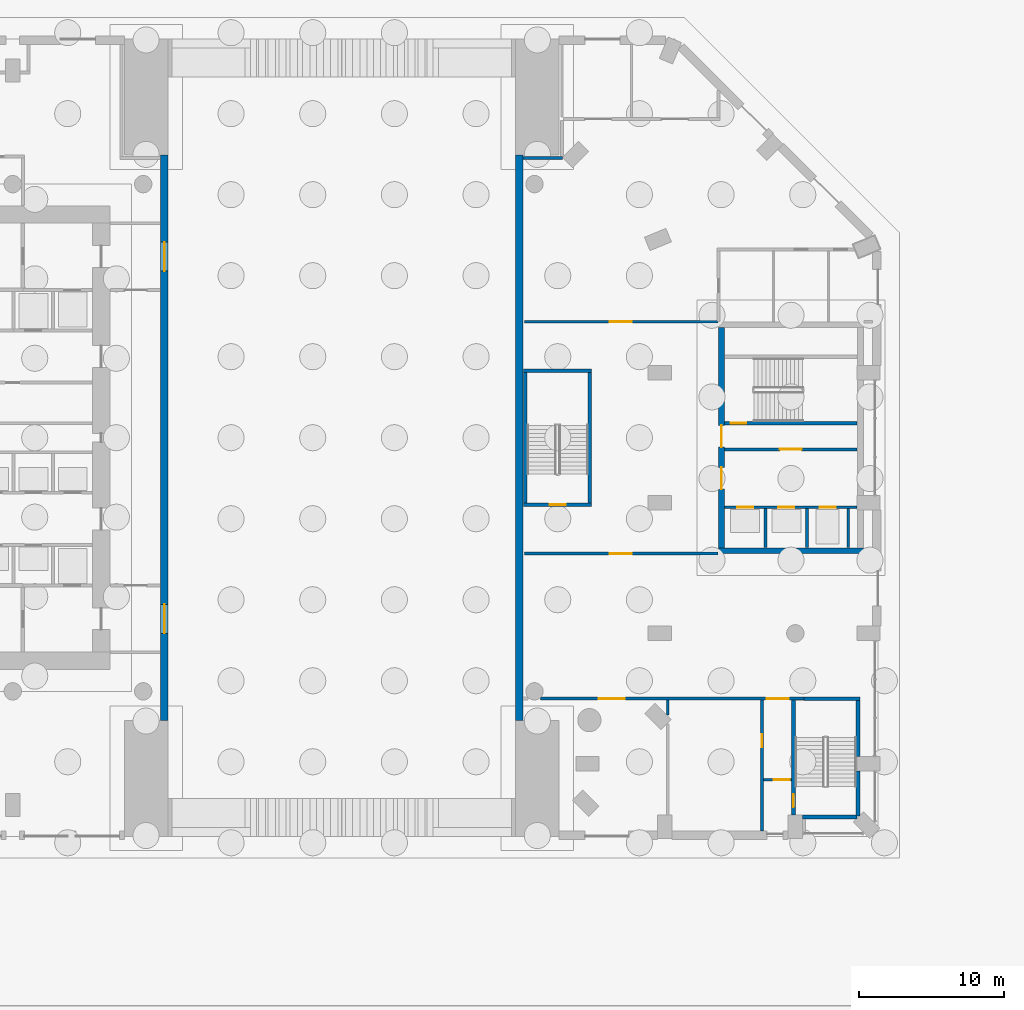
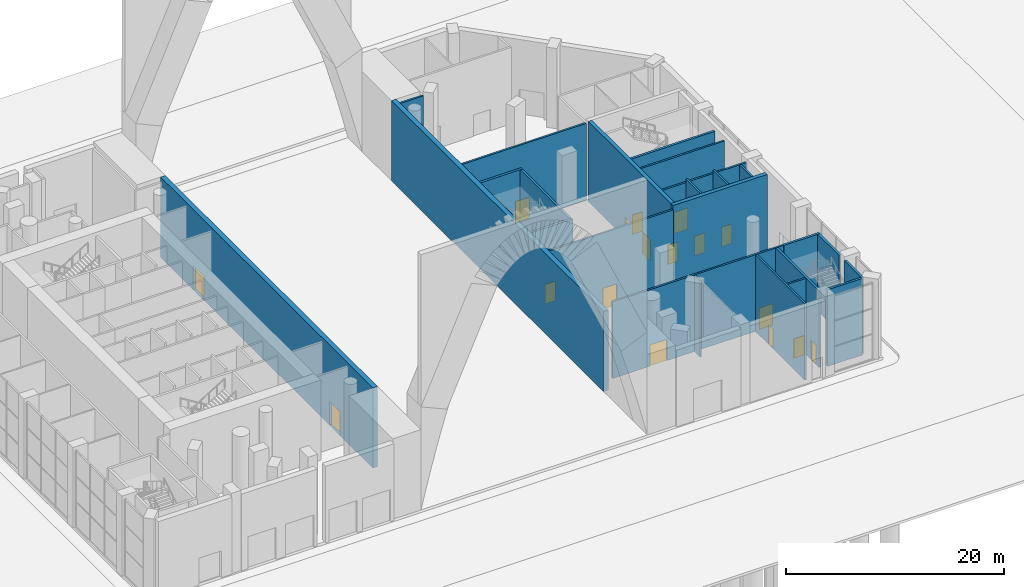
# One storey, part 12 of 25: 26 walls, 17 doors, 17 openings.
"""IFC4 building model written with IfcOpenShell, lengths in metres."""

from ifc_helpers import new_model, si_unit, direction, frame, frame_2d, origin, place, context, subcontext, project, spatial, rectangle, extrude, material, layer, layer_set, type_object, element, fill, save


model = new_model("IFC4")

# Units and contexts
model_context = context("Model", 3, precision=1e-05, world=origin(), true_north=direction((0.0, 1.0)))
body_context = subcontext(model_context, "Body", "Model", "MODEL_VIEW")
ifc_project = project(units=[si_unit("LENGTHUNIT", "METRE"), si_unit("AREAUNIT", "SQUARE_METRE"), si_unit("VOLUMEUNIT", "CUBIC_METRE"), si_unit("PLANEANGLEUNIT", "RADIAN"), si_unit("MASSUNIT", "GRAM", prefix="KILO")], contexts=[model_context])

# Site, building, storey
site_placement = place(None, origin())
site = spatial("IfcSite", under=ifc_project, at=site_placement, CompositionType="ELEMENT")
building_placement = place(site_placement, origin())
building = spatial("IfcBuilding", under=site, at=building_placement, Name="Cypress Arch Tower", CompositionType="ELEMENT")
storey_placement = place(building_placement, origin())
storey = spatial("IfcBuildingStorey", under=building, at=storey_placement, Name="L00", CompositionType="ELEMENT", Elevation=0.0)

# Wall, openings, doors
ifc_material_1 = material(Name="Concrete blockwork, plastered, rated", Category="masonry")
ifc_layer_1 = layer(ifc_material_1, 0.199951171875)
ifc_layer_set_1 = layer_set([ifc_layer_1], Name="Corridor wall FW200")
wall_type_1 = type_object("IfcWallType", Name="Corridor wall FW200", PredefinedType="PARTITIONING", material=ifc_layer_set_1)
wall_1_placement = place(storey_placement, frame((15.73193359375, -18.0048828125, 0.0), z_axis=(0.0, 0.0, 1.0), x_axis=(1.0, 0.0, 0.0)))
wall_1 = element("IfcWall", 1, at=wall_1_placement, inside=storey, type_object=wall_type_1, Name="Corridor wall", PredefinedType="PARTITIONING", context=body_context, shape_type="SweptSolid", body=[
    extrude(rectangle(XDim=18.1669921875, YDim=0.199951171875, at=frame_2d((9.08349609375, 0.0))), origin(), (0.0, 0.0, 1.0), 8.597900390625),
])
opening_1_placement = place(wall_1_placement, frame((15.60009765625, 0.0, 0.0)))
opening_1 = element("IfcOpeningElement", 2, at=opening_1_placement, cuts=wall_1, Name="Opening D07", PredefinedType="OPENING", context=body_context, shape_type="SweptSolid", body=[
    extrude(rectangle(XDim=1.5, YDim=2.39990234375, at=frame_2d((0.75, 1.199951171875))), frame((0.0, 0.10986328125, 0.0), z_axis=(0.0, -1.0, 0.0), x_axis=(1.0, 0.0, 0.0)), (0.0, 0.0, 1.0), 0.219970703125),
])
opening_2_placement = place(wall_1_placement, frame((4.0, 0.0, 0.0)))
opening_2 = element("IfcOpeningElement", 3, at=opening_2_placement, cuts=wall_1, Name="Opening D09", PredefinedType="OPENING", context=body_context, shape_type="SweptSolid", body=[
    extrude(rectangle(XDim=1.800048828125, YDim=2.39990234375, at=frame_2d((0.89990234375, 1.199951171875))), frame((0.0, 0.10986328125, 0.0), z_axis=(0.0, -1.0, 0.0), x_axis=(1.0, 0.0, 0.0)), (0.0, 0.0, 1.0), 0.219970703125),
])
ifc_material_2 = material(Name="Steel framed glazed door, fire resisting", Category="steel")
door_type_1 = type_object("IfcDoorType", Name="Lobby door D07 1500x2400", OperationType="DOUBLE_DOOR_SINGLE_SWING", PredefinedType="DOOR", material=ifc_material_2)
door_1_placement = place(opening_1_placement, origin())
door_1 = element("IfcDoor", 4, at=door_1_placement, inside=storey, type_object=door_type_1, Name="Lobby door", OperationType="DOUBLE_DOOR_SINGLE_SWING", OverallHeight=2.39990234375, OverallWidth=1.5, PredefinedType="DOOR", context=body_context, shape_type="SweptSolid", body=[
    extrude(rectangle(XDim=1.5, YDim=2.39990234375, at=frame_2d((0.75, 1.199951171875))), frame((0.0, 0.02490234375, 0.0), z_axis=(0.0, -1.0, 0.0), x_axis=(1.0, 0.0, 0.0)), (0.0, 0.0, 1.0), 0.050048828125),
])
fill(opening_1, door_1)
ifc_material_3 = material(Name="Steel door, fire resisting", Category="steel")
door_type_2 = type_object("IfcDoorType", Name="Plant room door D09 1800x2400", OperationType="DOUBLE_DOOR_SINGLE_SWING", PredefinedType="DOOR", material=ifc_material_3)
door_2_placement = place(opening_2_placement, origin())
door_2 = element("IfcDoor", 5, at=door_2_placement, inside=storey, type_object=door_type_2, Name="Plant room door", OperationType="DOUBLE_DOOR_SINGLE_SWING", OverallHeight=2.39990234375, OverallWidth=1.800048828125, PredefinedType="DOOR", context=body_context, shape_type="SweptSolid", body=[
    extrude(rectangle(XDim=1.800048828125, YDim=2.39990234375, at=frame_2d((0.89990234375, 1.199951171875))), frame((0.0, 0.02490234375, 0.0), z_axis=(0.0, -1.0, 0.0), x_axis=(1.0, 0.0, 0.0)), (0.0, 0.0, 1.0), 0.050048828125),
])
fill(opening_2, door_2)

# Wall, opening, door
wall_2_placement = place(storey_placement, frame((14.60009765625, -8.0, 0.0), z_axis=(0.0, 0.0, 1.0), x_axis=(1.0, 0.0, 0.0)))
wall_2 = element("IfcWall", 6, at=wall_2_placement, inside=storey, type_object=wall_type_1, Name="Corridor wall", PredefinedType="PARTITIONING", context=body_context, shape_type="SweptSolid", body=[
    extrude(rectangle(XDim=13.369873046875, YDim=0.199951171875, at=frame_2d((6.68505859375, 0.0))), origin(), (0.0, 0.0, 1.0), 8.597900390625),
])
opening_3_placement = place(wall_2_placement, frame((5.89990234375, 0.0, 0.0)))
opening_3 = element("IfcOpeningElement", 7, at=opening_3_placement, cuts=wall_2, Name="Opening D07", PredefinedType="OPENING", context=body_context, shape_type="SweptSolid", body=[
    extrude(rectangle(XDim=1.5, YDim=2.39990234375, at=frame_2d((0.75, 1.199951171875))), frame((0.0, 0.10986328125, 0.0), z_axis=(0.0, -1.0, 0.0), x_axis=(1.0, 0.0, 0.0)), (0.0, 0.0, 1.0), 0.219970703125),
])
door_3_placement = place(opening_3_placement, origin())
door_3 = element("IfcDoor", 8, at=door_3_placement, inside=storey, type_object=door_type_1, Name="Lobby door", OperationType="DOUBLE_DOOR_SINGLE_SWING", OverallHeight=2.39990234375, OverallWidth=1.5, PredefinedType="DOOR", context=body_context, shape_type="SweptSolid", body=[
    extrude(rectangle(XDim=1.5, YDim=2.39990234375, at=frame_2d((0.75, 1.199951171875))), frame((0.0, 0.02490234375, 0.0), z_axis=(0.0, -1.0, 0.0), x_axis=(1.0, 0.0, 0.0)), (0.0, 0.0, 1.0), 0.050048828125),
])
fill(opening_3, door_3)

wall_3_placement = place(storey_placement, frame((14.60009765625, 8.0, 0.0), z_axis=(0.0, 0.0, 1.0), x_axis=(1.0, 0.0, 0.0)))
wall_3 = element("IfcWall", 9, at=wall_3_placement, inside=storey, type_object=wall_type_1, Name="Corridor wall", PredefinedType="PARTITIONING", context=body_context, shape_type="SweptSolid", body=[
    extrude(rectangle(XDim=13.369873046875, YDim=0.199951171875, at=frame_2d((6.68505859375, 0.0))), origin(), (0.0, 0.0, 1.0), 8.597900390625),
])
opening_4_placement = place(wall_3_placement, frame((5.89990234375, 0.0, 0.0)))
opening_4 = element("IfcOpeningElement", 10, at=opening_4_placement, cuts=wall_3, Name="Opening D07", PredefinedType="OPENING", context=body_context, shape_type="SweptSolid", body=[
    extrude(rectangle(XDim=1.5, YDim=2.39990234375, at=frame_2d((0.75, 1.199951171875))), frame((0.0, 0.10986328125, 0.0), z_axis=(0.0, -1.0, 0.0), x_axis=(1.0, 0.0, 0.0)), (0.0, 0.0, 1.0), 0.219970703125),
])
door_4_placement = place(opening_4_placement, origin())
door_4 = element("IfcDoor", 11, at=door_4_placement, inside=storey, type_object=door_type_1, Name="Lobby door", OperationType="DOUBLE_DOOR_SINGLE_SWING", OverallHeight=2.39990234375, OverallWidth=1.5, PredefinedType="DOOR", context=body_context, shape_type="SweptSolid", body=[
    extrude(rectangle(XDim=1.5, YDim=2.39990234375, at=frame_2d((0.75, 1.199951171875))), frame((0.0, 0.02490234375, 0.0), z_axis=(0.0, -1.0, 0.0), x_axis=(1.0, 0.0, 0.0)), (0.0, 0.0, 1.0), 0.050048828125),
])
fill(opening_4, door_4)

# Wall
wall_4_placement = place(storey_placement, frame((14.5, 19.300048828125, 0.0), z_axis=(0.0, 0.0, 1.0), x_axis=(1.0, 0.0, 0.0)))
element("IfcWall", 12, at=wall_4_placement, inside=storey, type_object=wall_type_1, Name="Corridor wall", PredefinedType="PARTITIONING", context=body_context, shape_type="SweptSolid", body=[
    extrude(rectangle(XDim=2.7294921875, YDim=0.199951171875, at=frame_2d((1.36474609375, 0.0))), origin(), (0.0, 0.0, 1.0), 8.597900390625),
])

# Wall, opening, door
wall_5_placement = place(storey_placement, frame((28.429931640625, -0.800048828125, 0.0), z_axis=(0.0, 0.0, 1.0), x_axis=(1.0, 0.0, 0.0)))
wall_5 = element("IfcWall", 13, at=wall_5_placement, inside=storey, type_object=wall_type_1, Name="Corridor wall", PredefinedType="PARTITIONING", context=body_context, shape_type="SweptSolid", body=[
    extrude(rectangle(XDim=9.14013671875, YDim=0.199951171875, at=frame_2d((4.570068359375, 0.0))), origin(), (0.0, 0.0, 1.0), 8.597900390625),
])
opening_5_placement = place(wall_5_placement, frame((3.800048828125, 0.0, 0.0)))
opening_5 = element("IfcOpeningElement", 14, at=opening_5_placement, cuts=wall_5, Name="Opening D07", PredefinedType="OPENING", context=body_context, shape_type="SweptSolid", body=[
    extrude(rectangle(XDim=1.5, YDim=2.39990234375, at=frame_2d((0.75, 1.199951171875))), frame((0.0, 0.10986328125, 0.0), z_axis=(0.0, -1.0, 0.0), x_axis=(1.0, 0.0, 0.0)), (0.0, 0.0, 1.0), 0.219970703125),
])
door_5_placement = place(opening_5_placement, origin())
door_5 = element("IfcDoor", 15, at=door_5_placement, inside=storey, type_object=door_type_1, Name="Lobby door", OperationType="DOUBLE_DOOR_SINGLE_SWING", OverallHeight=2.39990234375, OverallWidth=1.5, PredefinedType="DOOR", context=body_context, shape_type="SweptSolid", body=[
    extrude(rectangle(XDim=1.5, YDim=2.39990234375, at=frame_2d((0.75, 1.199951171875))), frame((0.0, 0.02490234375, 0.0), z_axis=(0.0, -1.0, 0.0), x_axis=(1.0, 0.0, 0.0)), (0.0, 0.0, 1.0), 0.050048828125),
])
fill(opening_5, door_5)

wall_6_placement = place(storey_placement, frame((31.0, -27.125, 0.0), z_axis=(0.0, 0.0, 1.0), x_axis=(0.0, 1.0, 0.0)))
wall_6 = element("IfcWall", 16, at=wall_6_placement, inside=storey, type_object=wall_type_1, Name="Corridor wall", PredefinedType="PARTITIONING", context=body_context, shape_type="SweptSolid", body=[
    extrude(rectangle(XDim=9.02490234375, YDim=0.199951171875, at=frame_2d((4.512451171875, 0.0))), origin(), (0.0, 0.0, 1.0), 8.597900390625),
])
opening_6_placement = place(wall_6_placement, frame((5.75, 0.0, 0.0)))
opening_6 = element("IfcOpeningElement", 17, at=opening_6_placement, cuts=wall_6, Name="Opening D05", PredefinedType="OPENING", context=body_context, shape_type="SweptSolid", body=[
    extrude(rectangle(XDim=0.89990234375, YDim=2.199951171875, at=frame_2d((0.449951171875, 1.10009765625))), frame((0.0, 0.10986328125, 0.0), z_axis=(0.0, -1.0, 0.0), x_axis=(1.0, 0.0, 0.0)), (0.0, 0.0, 1.0), 0.219970703125),
])
ifc_material_4 = material(Name="Timber flush door", Category="wood")
door_type_3 = type_object("IfcDoorType", Name="Service door D05 900x2200", OperationType="SINGLE_SWING_LEFT", PredefinedType="DOOR", material=ifc_material_4)
door_6_placement = place(opening_6_placement, origin())
door_6 = element("IfcDoor", 18, at=door_6_placement, inside=storey, type_object=door_type_3, Name="Service door", OperationType="SINGLE_SWING_RIGHT", OverallHeight=2.199951171875, OverallWidth=0.89990234375, PredefinedType="DOOR", context=body_context, shape_type="SweptSolid", body=[
    extrude(rectangle(XDim=0.89990234375, YDim=2.199951171875, at=frame_2d((0.449951171875, 1.10009765625))), frame((0.0, 0.02490234375, 0.0), z_axis=(0.0, -1.0, 0.0), x_axis=(1.0, 0.0, 0.0)), (0.0, 0.0, 1.0), 0.050048828125),
])
fill(opening_6, door_6)

wall_7_placement = place(storey_placement, frame((31.10009765625, -23.60009765625, 0.0), z_axis=(0.0, 0.0, 1.0), x_axis=(1.0, 0.0, 0.0)))
wall_7 = element("IfcWall", 19, at=wall_7_placement, inside=storey, type_object=wall_type_1, Name="Corridor wall", PredefinedType="PARTITIONING", context=body_context, shape_type="SweptSolid", body=[
    extrude(rectangle(XDim=1.949951171875, YDim=0.199951171875, at=frame_2d((0.97509765625, 0.0))), origin(), (0.0, 0.0, 1.0), 8.597900390625),
])
opening_7_placement = place(wall_7_placement, frame((0.699951171875, 0.0, 0.0)))
opening_7 = element("IfcOpeningElement", 20, at=opening_7_placement, cuts=wall_7, Name="Opening D06", PredefinedType="OPENING", context=body_context, shape_type="SweptSolid", body=[
    extrude(rectangle(XDim=1.10009765625, YDim=2.199951171875, at=frame_2d((0.550048828125, 1.10009765625))), frame((0.0, 0.10986328125, 0.0), z_axis=(0.0, -1.0, 0.0), x_axis=(1.0, 0.0, 0.0)), (0.0, 0.0, 1.0), 0.219970703125),
])
ifc_material_5 = material(Name="Steel door, fire resisting, panic bar", Category="steel")
door_type_4 = type_object("IfcDoorType", Name="Stair door D06 1100x2200", OperationType="SINGLE_SWING_LEFT", PredefinedType="DOOR", material=ifc_material_5)
door_7_placement = place(opening_7_placement, origin())
door_7 = element("IfcDoor", 21, at=door_7_placement, inside=storey, type_object=door_type_4, Name="Stair door", OperationType="SINGLE_SWING_RIGHT", OverallHeight=2.199951171875, OverallWidth=1.10009765625, PredefinedType="DOOR", context=body_context, shape_type="SweptSolid", body=[
    extrude(rectangle(XDim=1.10009765625, YDim=2.199951171875, at=frame_2d((0.550048828125, 1.10009765625))), frame((0.0, 0.02490234375, 0.0), z_axis=(0.0, -1.0, 0.0), x_axis=(1.0, 0.0, 0.0)), (0.0, 0.0, 1.0), 0.050048828125),
])
fill(opening_7, door_7)

# Wall
ifc_material_6 = material(Name="Concrete C60/75", Category="concrete")
ifc_layer_2 = layer(ifc_material_6, 0.39990234375)
ifc_layer_set_2 = layer_set([ifc_layer_2], Name="East core wall CW400 C60/75")
wall_type_2 = type_object("IfcWallType", Name="East core wall CW400 C60/75", PredefinedType="SHEAR", material=ifc_layer_set_2)
wall_8_placement = place(storey_placement, frame((28.0, -7.800048828125, 0.0), z_axis=(0.0, 0.0, 1.0), x_axis=(1.0, 0.0, 0.0)))
element("IfcWall", 22, at=wall_8_placement, inside=storey, type_object=wall_type_2, Name="East core wall", PredefinedType="SHEAR", context=body_context, shape_type="SweptSolid", body=[
    extrude(rectangle(XDim=10.0, YDim=0.39990234375, at=frame_2d((5.0, 0.0))), origin(), (0.0, 0.0, 1.0), 9.0),
])

# Wall, openings, doors
wall_9_placement = place(storey_placement, frame((28.199951171875, -7.60009765625, 0.0), z_axis=(0.0, 0.0, 1.0), x_axis=(0.0, 1.0, 0.0)))
wall_9 = element("IfcWall", 23, at=wall_9_placement, inside=storey, type_object=wall_type_2, Name="East core wall", PredefinedType="SHEAR", context=body_context, shape_type="SweptSolid", body=[
    extrude(rectangle(XDim=15.2001953125, YDim=0.39990234375, at=frame_2d((7.60009765625, 0.0))), origin(), (0.0, 0.0, 1.0), 9.0),
])
opening_8_placement = place(wall_9_placement, frame((4.050048828125, 0.0, 0.0)))
opening_8 = element("IfcOpeningElement", 24, at=opening_8_placement, cuts=wall_9, Name="Opening D07", PredefinedType="OPENING", context=body_context, shape_type="SweptSolid", body=[
    extrude(rectangle(XDim=1.5, YDim=2.39990234375, at=frame_2d((0.75, 1.199951171875))), frame((0.0, 0.2099609375, 0.0), z_axis=(0.0, -1.0, 0.0), x_axis=(1.0, 0.0, 0.0)), (0.0, 0.0, 1.0), 0.419921875),
])
opening_9_placement = place(wall_9_placement, frame((6.949951171875, 0.0, 0.0)))
opening_9 = element("IfcOpeningElement", 25, at=opening_9_placement, cuts=wall_9, Name="Opening D07", PredefinedType="OPENING", context=body_context, shape_type="SweptSolid", body=[
    extrude(rectangle(XDim=1.5, YDim=2.39990234375, at=frame_2d((0.75, 1.199951171875))), frame((0.0, 0.2099609375, 0.0), z_axis=(0.0, -1.0, 0.0), x_axis=(1.0, 0.0, 0.0)), (0.0, 0.0, 1.0), 0.419921875),
])
door_8_placement = place(opening_8_placement, origin())
door_8 = element("IfcDoor", 26, at=door_8_placement, inside=storey, type_object=door_type_1, Name="Lobby door", OperationType="DOUBLE_DOOR_SINGLE_SWING", OverallHeight=2.39990234375, OverallWidth=1.5, PredefinedType="DOOR", context=body_context, shape_type="SweptSolid", body=[
    extrude(rectangle(XDim=1.5, YDim=2.39990234375, at=frame_2d((0.75, 1.199951171875))), frame((0.0, 0.02490234375, 0.0), z_axis=(0.0, -1.0, 0.0), x_axis=(1.0, 0.0, 0.0)), (0.0, 0.0, 1.0), 0.050048828125),
])
fill(opening_8, door_8)
door_9_placement = place(opening_9_placement, origin())
door_9 = element("IfcDoor", 27, at=door_9_placement, inside=storey, type_object=door_type_1, Name="Lobby door", OperationType="DOUBLE_DOOR_SINGLE_SWING", OverallHeight=2.39990234375, OverallWidth=1.5, PredefinedType="DOOR", context=body_context, shape_type="SweptSolid", body=[
    extrude(rectangle(XDim=1.5, YDim=2.39990234375, at=frame_2d((0.75, 1.199951171875))), frame((0.0, 0.02490234375, 0.0), z_axis=(0.0, -1.0, 0.0), x_axis=(1.0, 0.0, 0.0)), (0.0, 0.0, 1.0), 0.050048828125),
])
fill(opening_9, door_9)

# Wall
ifc_material_7 = material(Name="Blockwork, plastered both sides", Category="masonry")
ifc_layer_3 = layer(ifc_material_7, 0.14990234375)
ifc_layer_set_3 = layer_set([ifc_layer_3], Name="Partition PW150")
wall_type_3 = type_object("IfcWallType", Name="Partition PW150", PredefinedType="PARTITIONING", material=ifc_layer_set_3)
wall_10_placement = place(storey_placement, frame((24.5, -19.1328125, 0.0), z_axis=(0.0, 0.0, 1.0), x_axis=(0.0, 1.0, 0.0)))
element("IfcWall", 28, at=wall_10_placement, inside=storey, type_object=wall_type_3, Name="Partition", PredefinedType="PARTITIONING", context=body_context, shape_type="SweptSolid", body=[
    extrude(rectangle(XDim=1.03271484375, YDim=0.14990234375, at=frame_2d((0.516357421875, 0.0))), origin(), (0.0, 0.0, 1.0), 8.597900390625),
])

# Wall, openings, doors
ifc_material_8 = material(Name="Concrete C60/75", Category="concrete")
ifc_layer_4 = layer(ifc_material_8, 0.5)
ifc_layer_set_4 = layer_set([ifc_layer_4], Name="Passage wall 500 Concrete C60/75")
wall_type_4 = type_object("IfcWallType", Name="Passage wall 500 Concrete C60/75", PredefinedType="SOLIDWALL", material=ifc_layer_set_4)
wall_11_placement = place(storey_placement, frame((-10.25, -19.5, 0.0), z_axis=(0.0, 0.0, 1.0), x_axis=(0.0, 1.0, 0.0)))
wall_11 = element("IfcWall", 29, at=wall_11_placement, inside=storey, type_object=wall_type_4, Name="Gate passage wall W L00", PredefinedType="SOLIDWALL", context=body_context, shape_type="SweptSolid", body=[
    extrude(rectangle(XDim=39.0, YDim=0.5, at=frame_2d((19.5, 0.0))), origin(), (0.0, 0.0, 1.0), 9.0),
])
opening_10_placement = place(wall_11_placement, frame((6.0, 0.0, 0.0)))
opening_10 = element("IfcOpeningElement", 30, at=opening_10_placement, cuts=wall_11, Name="Opening DE2000", PredefinedType="OPENING", context=body_context, shape_type="SweptSolid", body=[
    extrude(rectangle(XDim=2.0, YDim=2.699951171875, at=frame_2d((1.0, 1.35009765625))), frame((0.0, 0.260009765625, 0.0), z_axis=(0.0, -1.0, 0.0), x_axis=(1.0, 0.0, 0.0)), (0.0, 0.0, 1.0), 0.52001953125),
])
opening_11_placement = place(wall_11_placement, frame((31.0, 0.0, 0.0)))
opening_11 = element("IfcOpeningElement", 31, at=opening_11_placement, cuts=wall_11, Name="Opening DE2000", PredefinedType="OPENING", context=body_context, shape_type="SweptSolid", body=[
    extrude(rectangle(XDim=2.0, YDim=2.699951171875, at=frame_2d((1.0, 1.35009765625))), frame((0.0, 0.260009765625, 0.0), z_axis=(0.0, -1.0, 0.0), x_axis=(1.0, 0.0, 0.0)), (0.0, 0.0, 1.0), 0.52001953125),
])
ifc_material_9 = material(Name="Anodised aluminium, bronze finish, clear low-emissivity double glazing", Category="aluminium")
door_type_5 = type_object("IfcDoorType", Name="Entrance door double 2000x2700", OperationType="DOUBLE_DOOR_SINGLE_SWING", PredefinedType="DOOR", material=ifc_material_9)
door_10_placement = place(opening_10_placement, origin())
door_10 = element("IfcDoor", 32, at=door_10_placement, inside=storey, type_object=door_type_5, Name="Exterior door L00 W-L1", OperationType="DOUBLE_DOOR_SINGLE_SWING", OverallHeight=2.699951171875, OverallWidth=2.0, PredefinedType="DOOR", context=body_context, shape_type="SweptSolid", body=[
    extrude(rectangle(XDim=2.0, YDim=2.699951171875, at=frame_2d((1.0, 1.35009765625))), frame((0.0, 0.0, 0.0), z_axis=(0.0, -1.0, 0.0), x_axis=(1.0, 0.0, 0.0)), (0.0, 0.0, 1.0), 0.050048828125),
])
fill(opening_10, door_10)
door_11_placement = place(opening_11_placement, origin())
door_11 = element("IfcDoor", 33, at=door_11_placement, inside=storey, type_object=door_type_5, Name="Exterior door L00 W-L2", OperationType="DOUBLE_DOOR_SINGLE_SWING", OverallHeight=2.699951171875, OverallWidth=2.0, PredefinedType="DOOR", context=body_context, shape_type="SweptSolid", body=[
    extrude(rectangle(XDim=2.0, YDim=2.699951171875, at=frame_2d((1.0, 1.35009765625))), frame((0.0, 0.0, 0.0), z_axis=(0.0, -1.0, 0.0), x_axis=(1.0, 0.0, 0.0)), (0.0, 0.0, 1.0), 0.050048828125),
])
fill(opening_11, door_11)

# Wall
wall_12_placement = place(storey_placement, frame((14.25, -19.5, 0.0), z_axis=(0.0, 0.0, 1.0), x_axis=(0.0, 1.0, 0.0)))
element("IfcWall", 34, at=wall_12_placement, inside=storey, type_object=wall_type_4, Name="Gate passage wall E L00", PredefinedType="SOLIDWALL", context=body_context, shape_type="SweptSolid", body=[
    extrude(rectangle(XDim=39.0, YDim=0.5, at=frame_2d((19.5, 0.0))), origin(), (0.0, 0.0, 1.0), 9.0),
])

# Wall, openings, doors
ifc_material_10 = material(Name="Concrete C50/60", Category="concrete")
ifc_layer_5 = layer(ifc_material_10, 0.199951171875)
ifc_layer_set_5 = layer_set([ifc_layer_5], Name="Shaft wall SH200")
wall_type_5 = type_object("IfcWallType", Name="Shaft wall SH200", PredefinedType="SHEAR", material=ifc_layer_set_5)
wall_13_placement = place(storey_placement, frame((28.429931640625, -4.800048828125, 0.0), z_axis=(0.0, 0.0, 1.0), x_axis=(1.0, 0.0, 0.0)))
wall_13 = element("IfcWall", 35, at=wall_13_placement, inside=storey, type_object=wall_type_5, Name="Shaft wall", PredefinedType="SHEAR", context=body_context, shape_type="SweptSolid", body=[
    extrude(rectangle(XDim=9.130126953125, YDim=0.199951171875, at=frame_2d((4.56494140625, 0.0))), origin(), (0.0, 0.0, 1.0), 8.597900390625),
])
opening_12_placement = place(wall_13_placement, frame((0.85009765625, 0.0, 0.0)))
opening_12 = element("IfcOpeningElement", 36, at=opening_12_placement, cuts=wall_13, Name="Opening LD-EW1", PredefinedType="OPENING", context=body_context, shape_type="SweptSolid", body=[
    extrude(rectangle(XDim=1.10009765625, YDim=2.199951171875, at=frame_2d((0.550048828125, 1.10009765625))), frame((0.0, 0.10986328125, 0.0), z_axis=(0.0, -1.0, 0.0), x_axis=(1.0, 0.0, 0.0)), (0.0, 0.0, 1.0), 0.219970703125),
])
opening_13_placement = place(wall_13_placement, frame((3.699951171875, 0.0, 0.0)))
opening_13 = element("IfcOpeningElement", 37, at=opening_13_placement, cuts=wall_13, Name="Opening LD-EW2", PredefinedType="OPENING", context=body_context, shape_type="SweptSolid", body=[
    extrude(rectangle(XDim=1.10009765625, YDim=2.199951171875, at=frame_2d((0.550048828125, 1.10009765625))), frame((0.0, 0.10986328125, 0.0), z_axis=(0.0, -1.0, 0.0), x_axis=(1.0, 0.0, 0.0)), (0.0, 0.0, 1.0), 0.219970703125),
])
opening_14_placement = place(wall_13_placement, frame((6.550048828125, 0.0, 0.0)))
opening_14 = element("IfcOpeningElement", 38, at=opening_14_placement, cuts=wall_13, Name="Opening LD-EWS", PredefinedType="OPENING", context=body_context, shape_type="SweptSolid", body=[
    extrude(rectangle(XDim=1.10009765625, YDim=2.199951171875, at=frame_2d((0.550048828125, 1.10009765625))), frame((0.0, 0.10986328125, 0.0), z_axis=(0.0, -1.0, 0.0), x_axis=(1.0, 0.0, 0.0)), (0.0, 0.0, 1.0), 0.219970703125),
])
ifc_material_11 = material(Name="Stainless steel centre-opening landing door, rated", Category="steel")
door_type_6 = type_object("IfcDoorType", Name="Lift landing door LD 1100x2200", OperationType="DOUBLE_DOOR_SLIDING", PredefinedType="DOOR", material=ifc_material_11)
door_12_placement = place(opening_12_placement, origin())
door_12 = element("IfcDoor", 39, at=door_12_placement, inside=storey, type_object=door_type_6, Name="Lift landing doors EW1", OperationType="DOUBLE_DOOR_SLIDING", OverallHeight=2.199951171875, OverallWidth=1.10009765625, PredefinedType="DOOR", context=body_context, shape_type="SweptSolid", body=[
    extrude(rectangle(XDim=1.10009765625, YDim=2.199951171875, at=frame_2d((0.550048828125, 1.10009765625))), frame((0.0, 0.02490234375, 0.0), z_axis=(0.0, -1.0, 0.0), x_axis=(1.0, 0.0, 0.0)), (0.0, 0.0, 1.0), 0.050048828125),
])
fill(opening_12, door_12)
door_13_placement = place(opening_13_placement, origin())
door_13 = element("IfcDoor", 40, at=door_13_placement, inside=storey, type_object=door_type_6, Name="Lift landing doors EW2", OperationType="DOUBLE_DOOR_SLIDING", OverallHeight=2.199951171875, OverallWidth=1.10009765625, PredefinedType="DOOR", context=body_context, shape_type="SweptSolid", body=[
    extrude(rectangle(XDim=1.10009765625, YDim=2.199951171875, at=frame_2d((0.550048828125, 1.10009765625))), frame((0.0, 0.02490234375, 0.0), z_axis=(0.0, -1.0, 0.0), x_axis=(1.0, 0.0, 0.0)), (0.0, 0.0, 1.0), 0.050048828125),
])
fill(opening_13, door_13)
door_14_placement = place(opening_14_placement, origin())
door_14 = element("IfcDoor", 41, at=door_14_placement, inside=storey, type_object=door_type_6, Name="Lift landing doors EWS", OperationType="DOUBLE_DOOR_SLIDING", OverallHeight=2.199951171875, OverallWidth=1.10009765625, PredefinedType="DOOR", context=body_context, shape_type="SweptSolid", body=[
    extrude(rectangle(XDim=1.10009765625, YDim=2.199951171875, at=frame_2d((0.550048828125, 1.10009765625))), frame((0.0, 0.02490234375, 0.0), z_axis=(0.0, -1.0, 0.0), x_axis=(1.0, 0.0, 0.0)), (0.0, 0.0, 1.0), 0.050048828125),
])
fill(opening_14, door_14)

# Walls
for number, where, z_axis, x_axis, name in (
    (42, (31.25, -7.570068359375, 0.0), (0.0, 0.0, 1.0), (0.0, 1.0, 0.0), "Shaft wall"),
    (43, (34.10009765625, -7.570068359375, 0.0), (0.0, 0.0, 1.0), (0.0, 1.0, 0.0), "Shaft wall"),
):
    element("IfcWall", number, at=place(storey_placement, frame(where, z_axis=z_axis, x_axis=x_axis)), inside=storey, type_object=wall_type_5, Name=name, PredefinedType="SHEAR", context=body_context, shape_type="SweptSolid", body=[
        extrude(rectangle(XDim=2.670166015625, YDim=0.199951171875, at=frame_2d((1.3349609375, 0.0))), origin(), (0.0, 0.0, 1.0), 9.0),
    ])
wall_14_placement = place(storey_placement, frame((36.949951171875, -7.570068359375, 0.0), z_axis=(0.0, 0.0, 1.0), x_axis=(0.0, 1.0, 0.0)))
element("IfcWall", 44, at=wall_14_placement, inside=storey, type_object=wall_type_5, Name="Shaft wall", PredefinedType="SHEAR", context=body_context, shape_type="SweptSolid", body=[
    extrude(rectangle(XDim=2.670166015625, YDim=0.199951171875, at=frame_2d((1.3349609375, 0.0))), origin(), (0.0, 0.0, 1.0), 8.597900390625),
])
ifc_material_12 = material(Name="Concrete C50/60", Category="concrete")
ifc_layer_6 = layer(ifc_material_12, 0.25)
ifc_layer_set_6 = layer_set([ifc_layer_6], Name="Stair enclosure wall SW250")
wall_type_6 = type_object("IfcWallType", Name="Stair enclosure wall SW250", PredefinedType="SHEAR", material=ifc_layer_set_6)
wall_15_placement = place(storey_placement, frame((14.675048828125, -4.5, 0.0), z_axis=(0.0, 0.0, 1.0), x_axis=(0.0, 1.0, 0.0)))
element("IfcWall", 45, at=wall_15_placement, inside=storey, type_object=wall_type_6, Name="Stair enclosure wall", PredefinedType="SHEAR", context=body_context, shape_type="SweptSolid", body=[
    extrude(rectangle(XDim=9.0, YDim=0.25, at=frame_2d((4.5, 0.0))), origin(), (0.0, 0.0, 1.0), 8.60009765625),
])

# Wall, opening, door
wall_16_placement = place(storey_placement, frame((14.550048828125, -4.625, 0.0), z_axis=(0.0, 0.0, 1.0), x_axis=(1.0, 0.0, 0.0)))
wall_16 = element("IfcWall", 46, at=wall_16_placement, inside=storey, type_object=wall_type_6, Name="Stair enclosure wall", PredefinedType="SHEAR", context=body_context, shape_type="SweptSolid", body=[
    extrude(rectangle(XDim=4.699951171875, YDim=0.25, at=frame_2d((2.35009765625, 0.0))), origin(), (0.0, 0.0, 1.0), 8.60009765625),
])
opening_15_placement = place(wall_16_placement, frame((1.800048828125, 0.0, 0.0)))
opening_15 = element("IfcOpeningElement", 47, at=opening_15_placement, cuts=wall_16, Name="Opening D06", PredefinedType="OPENING", context=body_context, shape_type="SweptSolid", body=[
    extrude(rectangle(XDim=1.10009765625, YDim=2.199951171875, at=frame_2d((0.550048828125, 1.10009765625))), frame((0.0, 0.135009765625, 0.0), z_axis=(0.0, -1.0, 0.0), x_axis=(1.0, 0.0, 0.0)), (0.0, 0.0, 1.0), 0.27001953125),
])
door_15_placement = place(opening_15_placement, origin())
door_15 = element("IfcDoor", 48, at=door_15_placement, inside=storey, type_object=door_type_4, Name="Stair door", OperationType="SINGLE_SWING_RIGHT", OverallHeight=2.199951171875, OverallWidth=1.10009765625, PredefinedType="DOOR", context=body_context, shape_type="SweptSolid", body=[
    extrude(rectangle(XDim=1.10009765625, YDim=2.199951171875, at=frame_2d((0.550048828125, 1.10009765625))), frame((0.0, 0.02490234375, 0.0), z_axis=(0.0, -1.0, 0.0), x_axis=(1.0, 0.0, 0.0)), (0.0, 0.0, 1.0), 0.050048828125),
])
fill(opening_15, door_15)

# Walls
wall_17_placement = place(storey_placement, frame((14.550048828125, 4.625, 0.0), z_axis=(0.0, 0.0, 1.0), x_axis=(1.0, 0.0, 0.0)))
element("IfcWall", 49, at=wall_17_placement, inside=storey, type_object=wall_type_6, Name="Stair enclosure wall", PredefinedType="SHEAR", context=body_context, shape_type="SweptSolid", body=[
    extrude(rectangle(XDim=4.699951171875, YDim=0.25, at=frame_2d((2.35009765625, 0.0))), origin(), (0.0, 0.0, 1.0), 8.60009765625),
])
wall_18_placement = place(storey_placement, frame((19.125, -4.5, 0.0), z_axis=(0.0, 0.0, 1.0), x_axis=(0.0, 1.0, 0.0)))
element("IfcWall", 50, at=wall_18_placement, inside=storey, type_object=wall_type_6, Name="Stair enclosure wall", PredefinedType="SHEAR", context=body_context, shape_type="SweptSolid", body=[
    extrude(rectangle(XDim=9.0, YDim=0.25, at=frame_2d((4.5, 0.0))), origin(), (0.0, 0.0, 1.0), 8.60009765625),
])

# Wall, opening, door
wall_19_placement = place(storey_placement, frame((28.429931640625, 1.0, 0.0), z_axis=(0.0, 0.0, 1.0), x_axis=(1.0, 0.0, 0.0)))
wall_19 = element("IfcWall", 51, at=wall_19_placement, inside=storey, type_object=wall_type_6, Name="Stair enclosure wall", PredefinedType="SHEAR", context=body_context, shape_type="SweptSolid", body=[
    extrude(rectangle(XDim=9.14013671875, YDim=0.25, at=frame_2d((4.570068359375, 0.0))), origin(), (0.0, 0.0, 1.0), 8.597900390625),
])
opening_16_placement = place(wall_19_placement, frame((0.39990234375, 0.0, 0.0)))
opening_16 = element("IfcOpeningElement", 52, at=opening_16_placement, cuts=wall_19, Name="Opening D06", PredefinedType="OPENING", context=body_context, shape_type="SweptSolid", body=[
    extrude(rectangle(XDim=1.10009765625, YDim=2.199951171875, at=frame_2d((0.550048828125, 1.10009765625))), frame((0.0, 0.135009765625, 0.0), z_axis=(0.0, -1.0, 0.0), x_axis=(1.0, 0.0, 0.0)), (0.0, 0.0, 1.0), 0.27001953125),
])
door_16_placement = place(opening_16_placement, origin())
door_16 = element("IfcDoor", 53, at=door_16_placement, inside=storey, type_object=door_type_4, Name="Stair door", OperationType="SINGLE_SWING_RIGHT", OverallHeight=2.199951171875, OverallWidth=1.10009765625, PredefinedType="DOOR", context=body_context, shape_type="SweptSolid", body=[
    extrude(rectangle(XDim=1.10009765625, YDim=2.199951171875, at=frame_2d((0.550048828125, 1.10009765625))), frame((0.0, 0.02490234375, 0.0), z_axis=(0.0, -1.0, 0.0), x_axis=(1.0, 0.0, 0.0)), (0.0, 0.0, 1.0), 0.050048828125),
])
fill(opening_16, door_16)

wall_20_placement = place(storey_placement, frame((33.175048828125, -26.050048828125, 0.0), z_axis=(0.0, 0.0, 1.0), x_axis=(0.0, 1.0, 0.0)))
wall_20 = element("IfcWall", 54, at=wall_20_placement, inside=storey, type_object=wall_type_6, Name="Stair enclosure wall", PredefinedType="SHEAR", context=body_context, shape_type="SweptSolid", body=[
    extrude(rectangle(XDim=7.945068359375, YDim=0.25, at=frame_2d((3.97265625, 0.0))), origin(), (0.0, 0.0, 1.0), 8.60009765625),
])
opening_17_placement = place(wall_20_placement, frame((0.550048828125, 0.0, 0.0)))
opening_17 = element("IfcOpeningElement", 55, at=opening_17_placement, cuts=wall_20, Name="Opening D15", PredefinedType="OPENING", context=body_context, shape_type="SweptSolid", body=[
    extrude(rectangle(XDim=0.89990234375, YDim=2.199951171875, at=frame_2d((0.449951171875, 1.10009765625))), frame((0.0, 0.135009765625, 0.0), z_axis=(0.0, -1.0, 0.0), x_axis=(1.0, 0.0, 0.0)), (0.0, 0.0, 1.0), 0.27001953125),
])
ifc_material_13 = material(Name="Steel door, fire resisting, panic bar", Category="steel")
door_type_7 = type_object("IfcDoorType", Name="Stair door D15 900x2200", OperationType="SINGLE_SWING_LEFT", PredefinedType="DOOR", material=ifc_material_13)
door_17_placement = place(opening_17_placement, origin())
door_17 = element("IfcDoor", 56, at=door_17_placement, inside=storey, type_object=door_type_7, Name="Stair door", OperationType="SINGLE_SWING_LEFT", OverallHeight=2.199951171875, OverallWidth=0.89990234375, PredefinedType="DOOR", context=body_context, shape_type="SweptSolid", body=[
    extrude(rectangle(XDim=0.89990234375, YDim=2.199951171875, at=frame_2d((0.449951171875, 1.10009765625))), frame((0.0, 0.02490234375, 0.0), z_axis=(0.0, -1.0, 0.0), x_axis=(1.0, 0.0, 0.0)), (0.0, 0.0, 1.0), 0.050048828125),
])
fill(opening_17, door_17)

# Walls
wall_21_placement = place(storey_placement, frame((33.800048828125, -26.175048828125, 0.0), z_axis=(0.0, 0.0, 1.0), x_axis=(1.0, 0.0, 0.0)))
element("IfcWall", 57, at=wall_21_placement, inside=storey, type_object=wall_type_6, Name="Stair enclosure wall", PredefinedType="SHEAR", context=body_context, shape_type="SweptSolid", body=[
    extrude(rectangle(XDim=3.7451171875, YDim=0.25, at=frame_2d((1.87255859375, 0.0))), origin(), (0.0, 0.0, 1.0), 8.60009765625),
])
wall_22_placement = place(storey_placement, frame((33.89892578125, -18.0048828125, 0.0), z_axis=(0.0, 0.0, 1.0), x_axis=(1.0, 0.0, 0.0)))
element("IfcWall", 58, at=wall_22_placement, inside=storey, type_object=wall_type_6, Name="Stair enclosure wall", PredefinedType="SHEAR", context=body_context, shape_type="SweptSolid", body=[
    extrude(rectangle(XDim=3.85107421875, YDim=0.25, at=frame_2d((1.925537109375, 0.0))), origin(), (0.0, 0.0, 1.0), 8.60009765625),
])
wall_23_placement = place(storey_placement, frame((37.625, -26.09521484375, 0.0), z_axis=(0.0, 0.0, 1.0), x_axis=(0.0, 1.0, 0.0)))
element("IfcWall", 59, at=wall_23_placement, inside=storey, type_object=wall_type_6, Name="Stair enclosure wall", PredefinedType="SHEAR", context=body_context, shape_type="SweptSolid", body=[
    extrude(rectangle(XDim=3.09521484375, YDim=0.25, at=frame_2d((1.547607421875, 0.0))), origin(), (0.0, 0.0, 1.0), 8.60009765625),
])
wall_24_placement = place(storey_placement, frame((37.625, -22.0, 0.0), z_axis=(0.0, 0.0, 1.0), x_axis=(0.0, 1.0, 0.0)))
element("IfcWall", 60, at=wall_24_placement, inside=storey, type_object=wall_type_6, Name="Stair enclosure wall", PredefinedType="SHEAR", context=body_context, shape_type="SweptSolid", body=[
    extrude(rectangle(XDim=3.8701171875, YDim=0.25, at=frame_2d((1.93505859375, 0.0))), origin(), (0.0, 0.0, 1.0), 8.60009765625),
])

save(model, "model.ifc")
